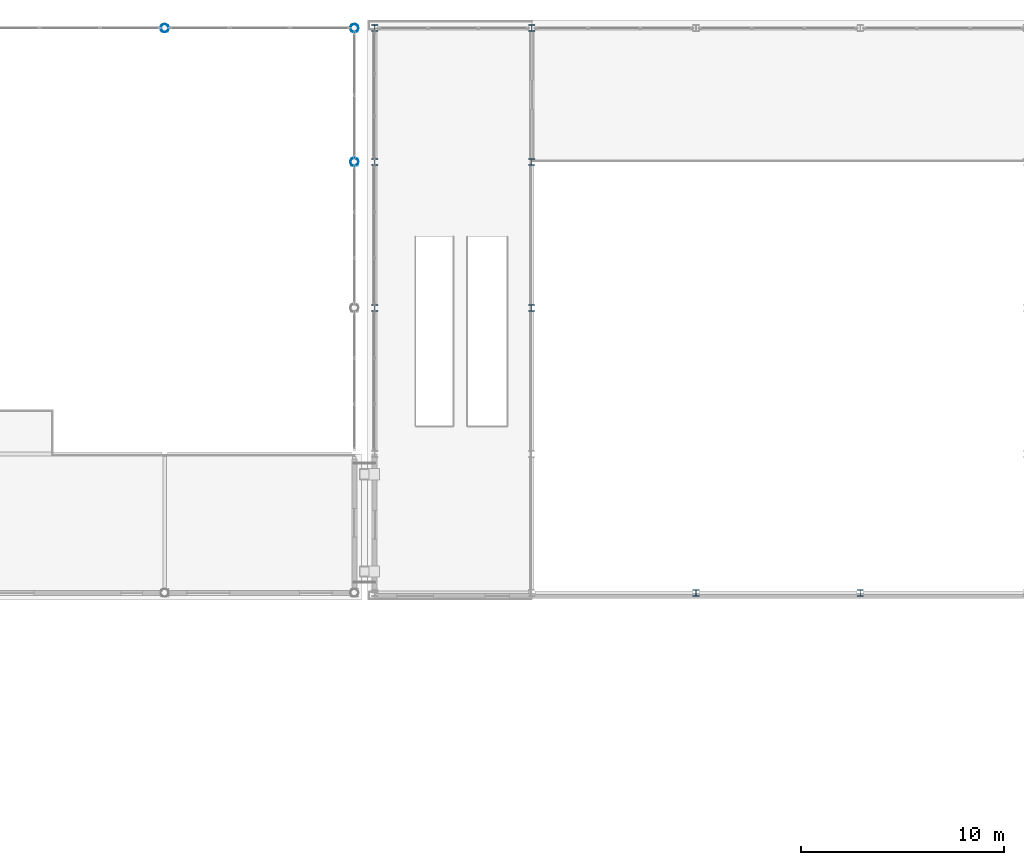
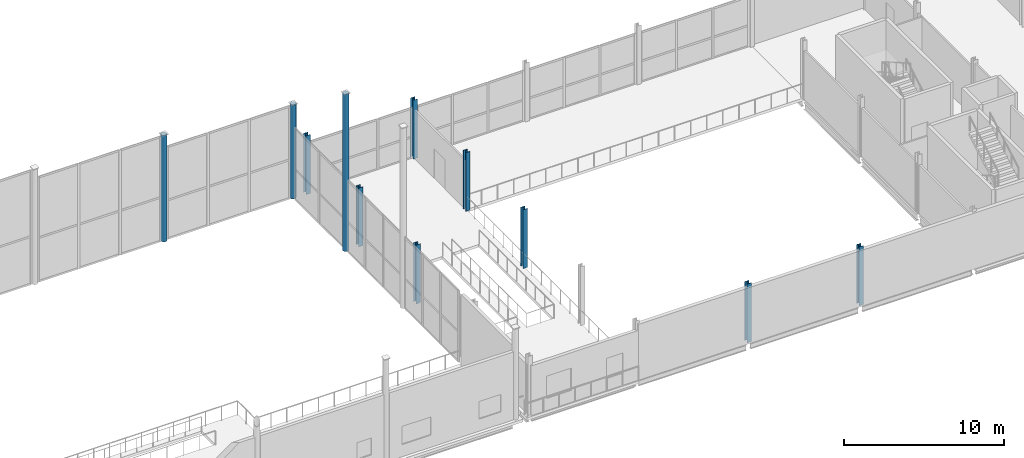
# One storey, part 9 of 77: 11 columns.
"""IFC4 building model written with IfcOpenShell, lengths in metres."""

from ifc_helpers import new_model, si_unit, direction, frame, origin, origin_2d, place, context, subcontext, project, spatial, hollow_circle, i_section, extrude, material, material_profile, profile_set, type_object, element, save


model = new_model("IFC4")

# Units and contexts
model_context = context("Model", 3, precision=1e-05, world=origin(), true_north=direction((0.0, 1.0)))
body_context = subcontext(model_context, "Body", "Model", "MODEL_VIEW")
ifc_project = project(units=[si_unit("LENGTHUNIT", "METRE"), si_unit("AREAUNIT", "SQUARE_METRE"), si_unit("VOLUMEUNIT", "CUBIC_METRE"), si_unit("PLANEANGLEUNIT", "RADIAN"), si_unit("MASSUNIT", "GRAM", prefix="KILO")], contexts=[model_context])

# Site, building, storey
site_placement = place(None, origin())
site = spatial("IfcSite", under=ifc_project, at=site_placement, CompositionType="ELEMENT")
building_placement = place(site_placement, origin())
building = spatial("IfcBuilding", under=site, at=building_placement, Name="Quillay Park Conservatory", CompositionType="ELEMENT")
storey_placement = place(building_placement, frame((0.0, 0.0, 5.39990234375)))
storey = spatial("IfcBuildingStorey", under=building, at=storey_placement, Name="L01", CompositionType="ELEMENT", Elevation=5.39990234375)

# Columns
ifc_material_1 = material(Name="Steel S355J2H", Category="steel")
ifc_material_profile_1 = material_profile(ifc_material_1, hollow_circle(Radius=0.203125, WallThickness=0.01611328125, at=origin_2d()), Name="CHS406.4x16")
ifc_profile_set_1 = profile_set([ifc_material_profile_1], Name="Steel S355J2H")
column_type_1 = type_object("IfcColumnType", Name="COMPOSITE STEEL COLUMN CHS406", PredefinedType="COLUMN", material=ifc_profile_set_1)
column_1_placement = place(storey_placement, frame((105.494384765625, 113.39990234375, 0.0), z_axis=(0.0, 0.0, 1.0), x_axis=(1.0, 0.0, 0.0)))
element("IfcColumn", 1, at=column_1_placement, inside=storey, type_object=column_type_1, Name="L01 column COL-V1-L01-8-1", PredefinedType="COLUMN", context=body_context, shape_type="SweptSolid", body=[
    extrude(hollow_circle(Radius=0.203125, WallThickness=0.01611328125, at=origin_2d()), origin(), (0.0, 0.0, 1.0), 8.137939453125),
])
column_2_placement = place(storey_placement, frame((114.85009765625, 113.39990234375, 0.0), z_axis=(0.0, 0.0, 1.0), x_axis=(1.0, 0.0, 0.0)))
element("IfcColumn", 2, at=column_2_placement, inside=storey, type_object=column_type_1, Name="L01 column COL-V1-L01-9-1", PredefinedType="COLUMN", context=body_context, shape_type="SweptSolid", body=[
    extrude(hollow_circle(Radius=0.203125, WallThickness=0.01611328125, at=origin_2d()), origin(), (0.0, 0.0, 1.0), 7.204345703125),
])
column_3_placement = place(storey_placement, frame((114.85009765625, 106.800048828125, 0.0), z_axis=(0.0, 0.0, 1.0), x_axis=(1.0, 0.0, 0.0)))
element("IfcColumn", 3, at=column_3_placement, inside=storey, type_object=column_type_1, Name="L01 column COL-V1E-L01-E-1", PredefinedType="COLUMN", context=body_context, shape_type="SweptSolid", body=[
    extrude(hollow_circle(Radius=0.203125, WallThickness=0.01611328125, at=origin_2d()), origin(), (0.0, 0.0, 1.0), 12.016845703125),
])
ifc_material_2 = material(Name="Steel ASTM A992 Grade 50", Category="steel")
ifc_material_profile_2 = material_profile(ifc_material_2, i_section(OverallWidth=0.30908203125, OverallDepth=0.322998046875, WebThickness=0.013916015625, FlangeThickness=0.02294921875, FilletRadius=0.014892578125, at=origin_2d()), Name="W310x143")
ifc_profile_set_2 = profile_set([ifc_material_profile_2], Name="Steel ASTM A992 Grade 50")
column_type_2 = type_object("IfcColumnType", Name="COMPOSITE STEEL COLUMN W310 X143", PredefinedType="COLUMN", material=ifc_profile_set_2)
for number, where, z_axis, x_axis, name in (
    (4, (115.85009765625, 99.60009765625, 0.0), (0.0, 0.0, 1.0), (1.0, 0.0, 0.0), "L01 column COL-V2-L01-0-2"),
    (5, (115.85009765625, 106.800048828125, 0.0), (0.0, 0.0, 1.0), (1.0, 0.0, 0.0), "L01 column COL-V2-L01-0-3"),
    (6, (115.85009765625, 113.39990234375, 0.0), (0.0, 0.0, 1.0), (1.0, 0.0, 0.0), "L01 column COL-V2-L01-0-4"),
    (7, (123.60009765625, 99.60009765625, 0.0), (0.0, 0.0, 1.0), (1.0, 0.0, 0.0), "L01 column COL-V2-L01-1-2"),
    (8, (123.60009765625, 106.800048828125, 0.0), (0.0, 0.0, 1.0), (1.0, 0.0, 0.0), "L01 column COL-V2-L01-1-3"),
    (9, (123.60009765625, 113.39990234375, 0.0), (0.0, 0.0, 1.0), (1.0, 0.0, 0.0), "L01 column COL-V2-L01-1-4"),
    (10, (131.699951171875, 85.550048828125, 0.0), (0.0, 0.0, 1.0), (1.0, 0.0, 0.0), "L01 column COL-V2-L01-2-0"),
    (11, (139.800048828125, 85.550048828125, 0.0), (0.0, 0.0, 1.0), (1.0, 0.0, 0.0), "L01 column COL-V2-L01-3-0"),
):
    element("IfcColumn", number, at=place(storey_placement, frame(where, z_axis=z_axis, x_axis=x_axis)), inside=storey, type_object=column_type_2, Name=name, PredefinedType="COLUMN", context=body_context, shape_type="SweptSolid", body=[
        extrude(i_section(OverallWidth=0.30908203125, OverallDepth=0.322998046875, WebThickness=0.013916015625, FlangeThickness=0.02294921875, FilletRadius=0.014892578125, at=origin_2d()), origin(), (0.0, 0.0, 1.0), 4.5),
    ])

save(model, "model.ifc")
